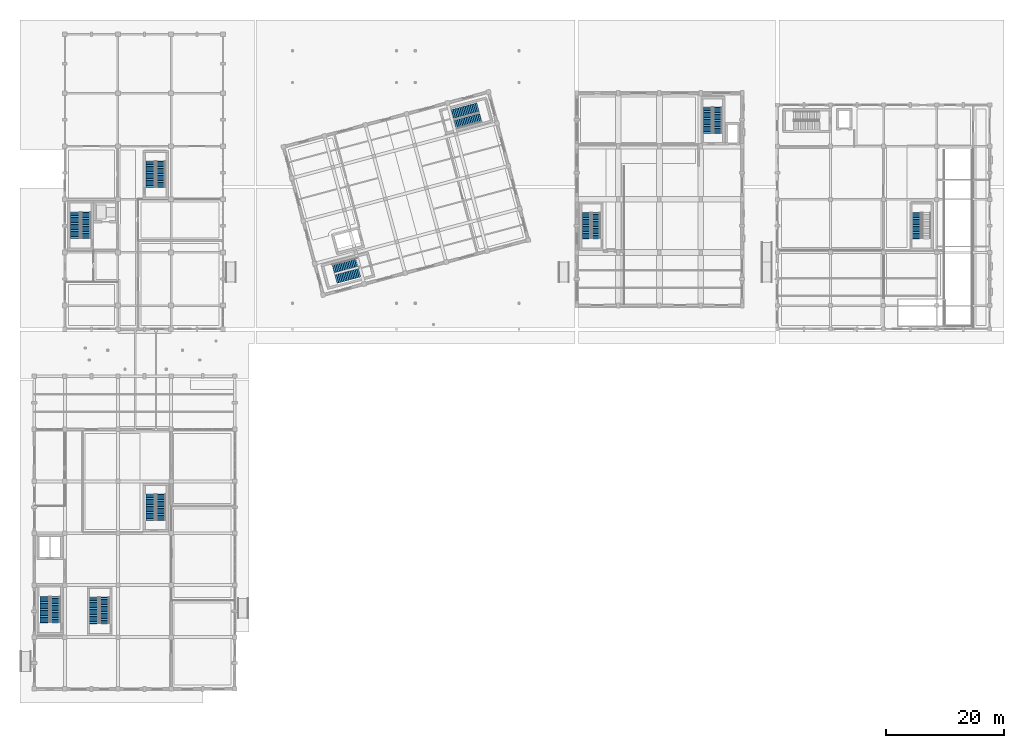
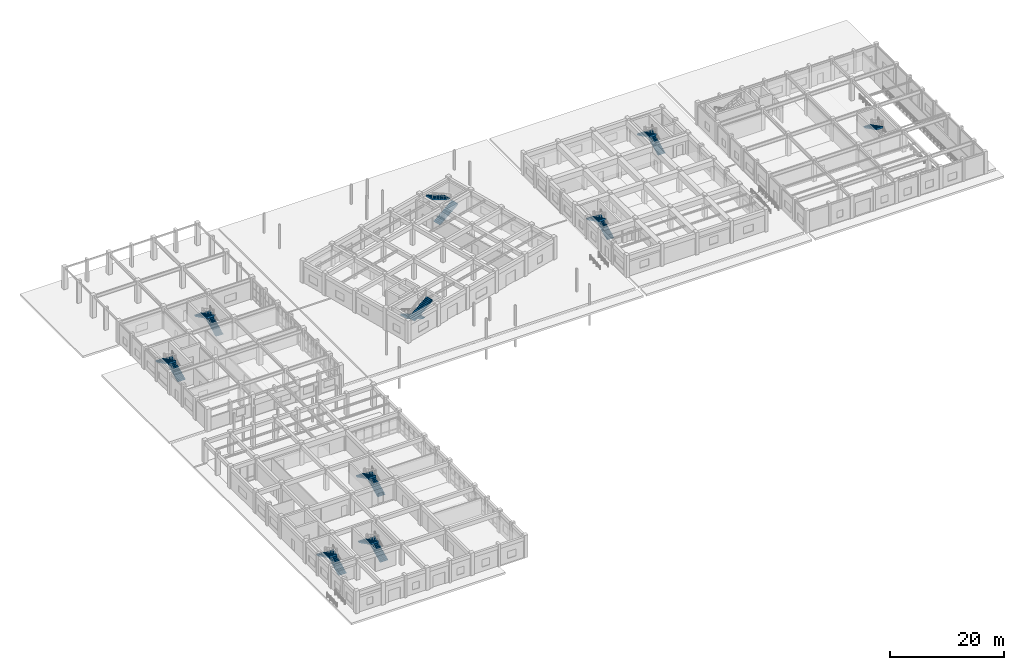
# One storey, part 41 of 47: 19 stair flights, 10 elements without a shape of their own.
"""IFC4 building model written with IfcOpenShell, lengths in metres."""

from ifc_helpers import new_model, si_unit, direction, frame, origin, place, context, subcontext, project, spatial, polyline, outline, extrude, material, type_object, element, aggregate, save


model = new_model("IFC4")

# Units and contexts
model_context = context("Model", 3, precision=1e-05, world=origin(), true_north=direction((0.0, 1.0)))
body_context = subcontext(model_context, "Body", "Model", "MODEL_VIEW")
ifc_project = project(units=[si_unit("LENGTHUNIT", "METRE"), si_unit("AREAUNIT", "SQUARE_METRE"), si_unit("VOLUMEUNIT", "CUBIC_METRE"), si_unit("PLANEANGLEUNIT", "RADIAN"), si_unit("MASSUNIT", "GRAM", prefix="KILO")], contexts=[model_context])

# Site, building, storey
site_placement = place(None, origin())
site = spatial("IfcSite", under=ifc_project, at=site_placement, CompositionType="ELEMENT")
building_placement = place(site_placement, origin())
building = spatial("IfcBuilding", under=site, at=building_placement, Name="Ventoquebrada Cableway Terminal", CompositionType="ELEMENT")
storey_placement = place(building_placement, origin())
storey = spatial("IfcBuildingStorey", under=building, at=storey_placement, Name="L00", CompositionType="ELEMENT", Elevation=0.0)

# Stair, stair flights
ifc_material = material(Name="Concrete C40/50", Category="concrete")
stair_type_1 = type_object("IfcStairType", Name="ST-T03", PredefinedType="HALF_TURN_STAIR", material=ifc_material)
stair_1_placement = place(storey_placement, origin())
stair_1 = element("IfcStair", 1, at=stair_1_placement, inside=storey, type_object=stair_type_1, Name="Protected half-turn stair ST-03", PredefinedType="HALF_TURN_STAIR")
stair_flight_type_1 = type_object("IfcStairFlightType", Name="SF-T03", PredefinedType="STRAIGHT", material=ifc_material)
stair_flight_1_placement = place(storey_placement, frame((6.675048828125, 14.199951171875, 0.0), z_axis=(0.0, 0.0, 1.0), x_axis=(0.0, 1.0, 0.0)))
stair_flight_1 = element("IfcStairFlight", 2, at=stair_flight_1_placement, type_object=stair_flight_type_1, Name="Lower stair flight SF-005", NumberOfRisers=16, NumberOfTreads=15, PredefinedType="STRAIGHT", RiserHeight=0.15, TreadLength=0.3, context=body_context, shape_type="SweptSolid", body=[
    extrude(outline(polyline([(0.0, 0.0), (0.0, 0.14990234375), (0.296630859375, 0.14990234375), (0.296630859375, 0.300048828125), (0.59326171875, 0.300048828125), (0.59326171875, 0.449951171875), (0.889892578125, 0.449951171875), (0.889892578125, 0.60009765625), (1.186767578125, 0.60009765625), (1.186767578125, 0.75), (1.4833984375, 0.75), (1.4833984375, 0.89990234375), (1.780029296875, 0.89990234375), (1.780029296875, 1.050048828125), (2.07666015625, 1.050048828125), (2.07666015625, 1.199951171875), (2.373291015625, 1.199951171875), (2.373291015625, 1.35009765625), (2.669921875, 1.35009765625), (2.669921875, 1.5), (2.966552734375, 1.5), (2.966552734375, 1.64990234375), (3.263427734375, 1.64990234375), (3.263427734375, 1.800048828125), (3.56005859375, 1.800048828125), (3.56005859375, 1.949951171875), (3.856689453125, 1.949951171875), (3.856689453125, 2.10009765625), (4.1533203125, 2.10009765625), (4.1533203125, 2.25), (4.449951171875, 2.25), (4.449951171875, 2.39990234375), (4.5, 2.39990234375), (4.5, 2.0263671875), (0.447021484375, 0.0), (0.0, 0.0)])), frame((0.0, 0.77490234375, 0.0), z_axis=(0.0, -1.0, 0.0), x_axis=(1.0, 0.0, 0.0)), (0.0, 0.0, 1.0), 1.550048828125),
])
stair_flight_2_placement = place(storey_placement, frame((4.764892578125, 18.699951171875, 2.39990234375), z_axis=(0.0, 0.0, 1.0), x_axis=(0.0, -1.0, 0.0)))
stair_flight_2 = element("IfcStairFlight", 3, at=stair_flight_2_placement, type_object=stair_flight_type_1, Name="Upper stair flight SF-006", NumberOfRisers=16, NumberOfTreads=15, PredefinedType="STRAIGHT", RiserHeight=0.15, TreadLength=0.3, context=body_context, shape_type="SweptSolid", body=[
    extrude(outline(polyline([(0.0, 0.0), (0.0, 0.14990234375), (0.296630859375, 0.14990234375), (0.296630859375, 0.300048828125), (0.59326171875, 0.300048828125), (0.59326171875, 0.449951171875), (0.889892578125, 0.449951171875), (0.889892578125, 0.60009765625), (1.186767578125, 0.60009765625), (1.186767578125, 0.75), (1.4833984375, 0.75), (1.4833984375, 0.89990234375), (1.780029296875, 0.89990234375), (1.780029296875, 1.050048828125), (2.07666015625, 1.050048828125), (2.07666015625, 1.199951171875), (2.373291015625, 1.199951171875), (2.373291015625, 1.35009765625), (2.669921875, 1.35009765625), (2.669921875, 1.5), (2.966552734375, 1.5), (2.966552734375, 1.64990234375), (3.263427734375, 1.64990234375), (3.263427734375, 1.800048828125), (3.56005859375, 1.800048828125), (3.56005859375, 1.949951171875), (3.856689453125, 1.949951171875), (3.856689453125, 2.10009765625), (4.1533203125, 2.10009765625), (4.1533203125, 2.25), (4.449951171875, 2.25), (4.449951171875, 2.39990234375), (4.5, 2.39990234375), (4.5, 2.0263671875), (0.447021484375, 0.0), (0.0, 0.0)])), frame((0.0, 0.77490234375, 0.0), z_axis=(0.0, -1.0, 0.0), x_axis=(1.0, 0.0, 0.0)), (0.0, 0.0, 1.0), 1.550048828125),
])
aggregate(stair_1, [stair_flight_1, stair_flight_2])

stair_2_placement = place(storey_placement, origin())
stair_2 = element("IfcStair", 4, at=stair_2_placement, inside=storey, type_object=stair_type_1, Name="Protected half-turn stair ST-09", PredefinedType="HALF_TURN_STAIR")
stair_flight_3_placement = place(storey_placement, frame((14.97509765625, 14.050048828125, 0.0), z_axis=(0.0, 0.0, 1.0), x_axis=(0.0, 1.0, 0.0)))
stair_flight_3 = element("IfcStairFlight", 5, at=stair_flight_3_placement, type_object=stair_flight_type_1, Name="Lower stair flight SF-017", NumberOfRisers=16, NumberOfTreads=15, PredefinedType="STRAIGHT", RiserHeight=0.15, TreadLength=0.3, context=body_context, shape_type="SweptSolid", body=[
    extrude(outline(polyline([(0.0, 0.0), (0.0, 0.14990234375), (0.296630859375, 0.14990234375), (0.296630859375, 0.300048828125), (0.59326171875, 0.300048828125), (0.59326171875, 0.449951171875), (0.889892578125, 0.449951171875), (0.889892578125, 0.60009765625), (1.186767578125, 0.60009765625), (1.186767578125, 0.75), (1.4833984375, 0.75), (1.4833984375, 0.89990234375), (1.780029296875, 0.89990234375), (1.780029296875, 1.050048828125), (2.07666015625, 1.050048828125), (2.07666015625, 1.199951171875), (2.373291015625, 1.199951171875), (2.373291015625, 1.35009765625), (2.669921875, 1.35009765625), (2.669921875, 1.5), (2.966552734375, 1.5), (2.966552734375, 1.64990234375), (3.263427734375, 1.64990234375), (3.263427734375, 1.800048828125), (3.56005859375, 1.800048828125), (3.56005859375, 1.949951171875), (3.856689453125, 1.949951171875), (3.856689453125, 2.10009765625), (4.1533203125, 2.10009765625), (4.1533203125, 2.25), (4.449951171875, 2.25), (4.449951171875, 2.39990234375), (4.5, 2.39990234375), (4.5, 2.0263671875), (0.447021484375, 0.0), (0.0, 0.0)])), frame((0.0, 0.77490234375, 0.0), z_axis=(0.0, -1.0, 0.0), x_axis=(1.0, 0.0, 0.0)), (0.0, 0.0, 1.0), 1.550048828125),
])
stair_flight_4_placement = place(storey_placement, frame((13.06494140625, 18.550048828125, 2.39990234375), z_axis=(0.0, 0.0, 1.0), x_axis=(0.0, -1.0, 0.0)))
stair_flight_4 = element("IfcStairFlight", 6, at=stair_flight_4_placement, type_object=stair_flight_type_1, Name="Upper stair flight SF-018", NumberOfRisers=16, NumberOfTreads=15, PredefinedType="STRAIGHT", RiserHeight=0.15, TreadLength=0.3, context=body_context, shape_type="SweptSolid", body=[
    extrude(outline(polyline([(0.0, 0.0), (0.0, 0.14990234375), (0.296630859375, 0.14990234375), (0.296630859375, 0.300048828125), (0.59326171875, 0.300048828125), (0.59326171875, 0.449951171875), (0.889892578125, 0.449951171875), (0.889892578125, 0.60009765625), (1.186767578125, 0.60009765625), (1.186767578125, 0.75), (1.4833984375, 0.75), (1.4833984375, 0.89990234375), (1.780029296875, 0.89990234375), (1.780029296875, 1.050048828125), (2.07666015625, 1.050048828125), (2.07666015625, 1.199951171875), (2.373291015625, 1.199951171875), (2.373291015625, 1.35009765625), (2.669921875, 1.35009765625), (2.669921875, 1.5), (2.966552734375, 1.5), (2.966552734375, 1.64990234375), (3.263427734375, 1.64990234375), (3.263427734375, 1.800048828125), (3.56005859375, 1.800048828125), (3.56005859375, 1.949951171875), (3.856689453125, 1.949951171875), (3.856689453125, 2.10009765625), (4.1533203125, 2.10009765625), (4.1533203125, 2.25), (4.449951171875, 2.25), (4.449951171875, 2.39990234375), (4.5, 2.39990234375), (4.5, 2.0263671875), (0.447021484375, 0.0), (0.0, 0.0)])), frame((0.0, 0.77490234375, 0.0), z_axis=(0.0, -1.0, 0.0), x_axis=(1.0, 0.0, 0.0)), (0.0, 0.0, 1.0), 1.550048828125),
])
aggregate(stair_2, [stair_flight_3, stair_flight_4])

stair_3_placement = place(storey_placement, origin())
stair_3 = element("IfcStair", 7, at=stair_3_placement, inside=storey, type_object=stair_type_1, Name="Protected half-turn stair ST-11", PredefinedType="HALF_TURN_STAIR")
stair_flight_5_placement = place(storey_placement, frame((11.824951171875, 79.35009765625, 0.0), z_axis=(0.0, 0.0, 1.0), x_axis=(0.0, 1.0, 0.0)))
stair_flight_5 = element("IfcStairFlight", 8, at=stair_flight_5_placement, type_object=stair_flight_type_1, Name="Lower stair flight SF-021", NumberOfRisers=16, NumberOfTreads=15, PredefinedType="STRAIGHT", RiserHeight=0.15, TreadLength=0.3, context=body_context, shape_type="SweptSolid", body=[
    extrude(outline(polyline([(0.0, 0.0), (0.0, 0.14990234375), (0.296630859375, 0.14990234375), (0.296630859375, 0.300048828125), (0.59326171875, 0.300048828125), (0.59326171875, 0.449951171875), (0.889892578125, 0.449951171875), (0.889892578125, 0.60009765625), (1.186767578125, 0.60009765625), (1.186767578125, 0.75), (1.4833984375, 0.75), (1.4833984375, 0.89990234375), (1.780029296875, 0.89990234375), (1.780029296875, 1.050048828125), (2.07666015625, 1.050048828125), (2.07666015625, 1.199951171875), (2.373291015625, 1.199951171875), (2.373291015625, 1.35009765625), (2.669921875, 1.35009765625), (2.669921875, 1.5), (2.966552734375, 1.5), (2.966552734375, 1.64990234375), (3.263427734375, 1.64990234375), (3.263427734375, 1.800048828125), (3.56005859375, 1.800048828125), (3.56005859375, 1.949951171875), (3.856689453125, 1.949951171875), (3.856689453125, 2.10009765625), (4.1533203125, 2.10009765625), (4.1533203125, 2.25), (4.449951171875, 2.25), (4.449951171875, 2.39990234375), (4.5, 2.39990234375), (4.5, 2.0263671875), (0.447021484375, 0.0), (0.0, 0.0)])), frame((0.0, 0.77490234375, 0.0), z_axis=(0.0, -1.0, 0.0), x_axis=(1.0, 0.0, 0.0)), (0.0, 0.0, 1.0), 1.550048828125),
])
stair_flight_6_placement = place(storey_placement, frame((9.9150390625, 83.85009765625, 2.39990234375), z_axis=(0.0, 0.0, 1.0), x_axis=(0.0, -1.0, 0.0)))
stair_flight_6 = element("IfcStairFlight", 9, at=stair_flight_6_placement, type_object=stair_flight_type_1, Name="Upper stair flight SF-022", NumberOfRisers=16, NumberOfTreads=15, PredefinedType="STRAIGHT", RiserHeight=0.15, TreadLength=0.3, context=body_context, shape_type="SweptSolid", body=[
    extrude(outline(polyline([(0.0, 0.0), (0.0, 0.14990234375), (0.296630859375, 0.14990234375), (0.296630859375, 0.300048828125), (0.59326171875, 0.300048828125), (0.59326171875, 0.449951171875), (0.889892578125, 0.449951171875), (0.889892578125, 0.60009765625), (1.186767578125, 0.60009765625), (1.186767578125, 0.75), (1.4833984375, 0.75), (1.4833984375, 0.89990234375), (1.780029296875, 0.89990234375), (1.780029296875, 1.050048828125), (2.07666015625, 1.050048828125), (2.07666015625, 1.199951171875), (2.373291015625, 1.199951171875), (2.373291015625, 1.35009765625), (2.669921875, 1.35009765625), (2.669921875, 1.5), (2.966552734375, 1.5), (2.966552734375, 1.64990234375), (3.263427734375, 1.64990234375), (3.263427734375, 1.800048828125), (3.56005859375, 1.800048828125), (3.56005859375, 1.949951171875), (3.856689453125, 1.949951171875), (3.856689453125, 2.10009765625), (4.1533203125, 2.10009765625), (4.1533203125, 2.25), (4.449951171875, 2.25), (4.449951171875, 2.39990234375), (4.5, 2.39990234375), (4.5, 2.0263671875), (0.447021484375, 0.0), (0.0, 0.0)])), frame((0.0, 0.77490234375, 0.0), z_axis=(0.0, -1.0, 0.0), x_axis=(1.0, 0.0, 0.0)), (0.0, 0.0, 1.0), 1.550048828125),
])
aggregate(stair_3, [stair_flight_5, stair_flight_6])

stair_type_2 = type_object("IfcStairType", Name="ST-T04", PredefinedType="HALF_TURN_STAIR", material=ifc_material)
stair_4_placement = place(storey_placement, origin())
stair_4 = element("IfcStair", 10, at=stair_4_placement, inside=storey, type_object=stair_type_2, Name="Protected half-turn stair ST-04", PredefinedType="HALF_TURN_STAIR")
stair_flight_type_2 = type_object("IfcStairFlightType", Name="SF-T04", PredefinedType="STRAIGHT", material=ifc_material)
stair_flight_7_placement = place(storey_placement, frame((24.550048828125, 31.550048828125, 0.0), z_axis=(0.0, 0.0, 1.0), x_axis=(0.0, 1.0, 0.0)))
stair_flight_7 = element("IfcStairFlight", 11, at=stair_flight_7_placement, type_object=stair_flight_type_2, Name="Lower stair flight SF-007", NumberOfRisers=16, NumberOfTreads=15, PredefinedType="STRAIGHT", RiserHeight=0.15, TreadLength=0.3, context=body_context, shape_type="SweptSolid", body=[
    extrude(outline(polyline([(0.0, 0.0), (0.0, 0.14990234375), (0.296630859375, 0.14990234375), (0.296630859375, 0.300048828125), (0.59326171875, 0.300048828125), (0.59326171875, 0.449951171875), (0.889892578125, 0.449951171875), (0.889892578125, 0.60009765625), (1.186767578125, 0.60009765625), (1.186767578125, 0.75), (1.4833984375, 0.75), (1.4833984375, 0.89990234375), (1.780029296875, 0.89990234375), (1.780029296875, 1.050048828125), (2.07666015625, 1.050048828125), (2.07666015625, 1.199951171875), (2.373291015625, 1.199951171875), (2.373291015625, 1.35009765625), (2.669921875, 1.35009765625), (2.669921875, 1.5), (2.966552734375, 1.5), (2.966552734375, 1.64990234375), (3.263427734375, 1.64990234375), (3.263427734375, 1.800048828125), (3.56005859375, 1.800048828125), (3.56005859375, 1.949951171875), (3.856689453125, 1.949951171875), (3.856689453125, 2.10009765625), (4.1533203125, 2.10009765625), (4.1533203125, 2.25), (4.449951171875, 2.25), (4.449951171875, 2.39990234375), (4.5, 2.39990234375), (4.5, 2.0263671875), (0.447021484375, 0.0), (0.0, 0.0)])), frame((0.0, 0.75, 0.0), z_axis=(0.0, -1.0, 0.0), x_axis=(1.0, 0.0, 0.0)), (0.0, 0.0, 1.0), 1.5),
])
stair_flight_8_placement = place(storey_placement, frame((22.68994140625, 36.050048828125, 2.39990234375), z_axis=(0.0, 0.0, 1.0), x_axis=(0.0, -1.0, 0.0)))
stair_flight_8 = element("IfcStairFlight", 12, at=stair_flight_8_placement, type_object=stair_flight_type_2, Name="Upper stair flight SF-008", NumberOfRisers=16, NumberOfTreads=15, PredefinedType="STRAIGHT", RiserHeight=0.15, TreadLength=0.3, context=body_context, shape_type="SweptSolid", body=[
    extrude(outline(polyline([(0.0, 0.0), (0.0, 0.14990234375), (0.296630859375, 0.14990234375), (0.296630859375, 0.300048828125), (0.59326171875, 0.300048828125), (0.59326171875, 0.449951171875), (0.889892578125, 0.449951171875), (0.889892578125, 0.60009765625), (1.186767578125, 0.60009765625), (1.186767578125, 0.75), (1.4833984375, 0.75), (1.4833984375, 0.89990234375), (1.780029296875, 0.89990234375), (1.780029296875, 1.050048828125), (2.07666015625, 1.050048828125), (2.07666015625, 1.199951171875), (2.373291015625, 1.199951171875), (2.373291015625, 1.35009765625), (2.669921875, 1.35009765625), (2.669921875, 1.5), (2.966552734375, 1.5), (2.966552734375, 1.64990234375), (3.263427734375, 1.64990234375), (3.263427734375, 1.800048828125), (3.56005859375, 1.800048828125), (3.56005859375, 1.949951171875), (3.856689453125, 1.949951171875), (3.856689453125, 2.10009765625), (4.1533203125, 2.10009765625), (4.1533203125, 2.25), (4.449951171875, 2.25), (4.449951171875, 2.39990234375), (4.5, 2.39990234375), (4.5, 2.0263671875), (0.447021484375, 0.0), (0.0, 0.0)])), frame((0.0, 0.75, 0.0), z_axis=(0.0, -1.0, 0.0), x_axis=(1.0, 0.0, 0.0)), (0.0, 0.0, 1.0), 1.5),
])
aggregate(stair_4, [stair_flight_7, stair_flight_8])

stair_5_placement = place(storey_placement, origin())
stair_5 = element("IfcStair", 13, at=stair_5_placement, inside=storey, type_object=stair_type_2, Name="Protected half-turn stair ST-24", PredefinedType="HALF_TURN_STAIR")
stair_flight_9_placement = place(storey_placement, frame((58.02001953125, 75.44091796875, 0.0), z_axis=(0.0, 0.0, 1.0), x_axis=(-0.965925826289, -0.258819045103, 0.0)))
stair_flight_9 = element("IfcStairFlight", 14, at=stair_flight_9_placement, type_object=stair_flight_type_2, Name="Lower stair flight SF-047", NumberOfRisers=16, NumberOfTreads=15, PredefinedType="STRAIGHT", RiserHeight=0.15, TreadLength=0.3, context=body_context, shape_type="SweptSolid", body=[
    extrude(outline(polyline([(0.0, 0.0), (0.0, 0.14990234375), (0.296630859375, 0.14990234375), (0.296630859375, 0.300048828125), (0.59326171875, 0.300048828125), (0.59326171875, 0.449951171875), (0.889892578125, 0.449951171875), (0.889892578125, 0.60009765625), (1.186767578125, 0.60009765625), (1.186767578125, 0.75), (1.4833984375, 0.75), (1.4833984375, 0.89990234375), (1.780029296875, 0.89990234375), (1.780029296875, 1.050048828125), (2.07666015625, 1.050048828125), (2.07666015625, 1.199951171875), (2.373291015625, 1.199951171875), (2.373291015625, 1.35009765625), (2.669921875, 1.35009765625), (2.669921875, 1.5), (2.966552734375, 1.5), (2.966552734375, 1.64990234375), (3.263427734375, 1.64990234375), (3.263427734375, 1.800048828125), (3.56005859375, 1.800048828125), (3.56005859375, 1.949951171875), (3.856689453125, 1.949951171875), (3.856689453125, 2.10009765625), (4.1533203125, 2.10009765625), (4.1533203125, 2.25), (4.449951171875, 2.25), (4.449951171875, 2.39990234375), (4.5, 2.39990234375), (4.5, 2.0263671875), (0.447021484375, 0.0), (0.0, 0.0)])), frame((0.0, 0.75, 0.0), z_axis=(0.0, -1.0, 0.0), x_axis=(1.0, 0.0, 0.0)), (0.0, 0.0, 1.0), 1.5),
])
stair_flight_10_placement = place(storey_placement, frame((54.155029296875, 72.47900390625, 2.39990234375), z_axis=(0.0, 0.0, 1.0), x_axis=(0.965925826289, 0.258819045103, 0.0)))
stair_flight_10 = element("IfcStairFlight", 15, at=stair_flight_10_placement, type_object=stair_flight_type_2, Name="Upper stair flight SF-048", NumberOfRisers=16, NumberOfTreads=15, PredefinedType="STRAIGHT", RiserHeight=0.15, TreadLength=0.3, context=body_context, shape_type="SweptSolid", body=[
    extrude(outline(polyline([(0.0, 0.0), (0.0, 0.14990234375), (0.296630859375, 0.14990234375), (0.296630859375, 0.300048828125), (0.59326171875, 0.300048828125), (0.59326171875, 0.449951171875), (0.889892578125, 0.449951171875), (0.889892578125, 0.60009765625), (1.186767578125, 0.60009765625), (1.186767578125, 0.75), (1.4833984375, 0.75), (1.4833984375, 0.89990234375), (1.780029296875, 0.89990234375), (1.780029296875, 1.050048828125), (2.07666015625, 1.050048828125), (2.07666015625, 1.199951171875), (2.373291015625, 1.199951171875), (2.373291015625, 1.35009765625), (2.669921875, 1.35009765625), (2.669921875, 1.5), (2.966552734375, 1.5), (2.966552734375, 1.64990234375), (3.263427734375, 1.64990234375), (3.263427734375, 1.800048828125), (3.56005859375, 1.800048828125), (3.56005859375, 1.949951171875), (3.856689453125, 1.949951171875), (3.856689453125, 2.10009765625), (4.1533203125, 2.10009765625), (4.1533203125, 2.25), (4.449951171875, 2.25), (4.449951171875, 2.39990234375), (4.5, 2.39990234375), (4.5, 2.0263671875), (0.447021484375, 0.0), (0.0, 0.0)])), frame((0.0, 0.75, 0.0), z_axis=(0.0, -1.0, 0.0), x_axis=(1.0, 0.0, 0.0)), (0.0, 0.0, 1.0), 1.5),
])
aggregate(stair_5, [stair_flight_9, stair_flight_10])

stair_6_placement = place(storey_placement, origin())
stair_6 = element("IfcStair", 16, at=stair_6_placement, inside=storey, type_object=stair_type_2, Name="Protected half-turn stair ST-32", PredefinedType="HALF_TURN_STAIR")
stair_flight_11_placement = place(storey_placement, frame((74.366943359375, 98.662109375, 0.0), z_axis=(0.0, 0.0, 1.0), x_axis=(0.965925826289, 0.258819045103, 0.0)))
stair_flight_11 = element("IfcStairFlight", 17, at=stair_flight_11_placement, type_object=stair_flight_type_2, Name="Lower stair flight SF-063", NumberOfRisers=16, NumberOfTreads=15, PredefinedType="STRAIGHT", RiserHeight=0.15, TreadLength=0.3, context=body_context, shape_type="SweptSolid", body=[
    extrude(outline(polyline([(0.0, 0.0), (0.0, 0.14990234375), (0.296630859375, 0.14990234375), (0.296630859375, 0.300048828125), (0.59326171875, 0.300048828125), (0.59326171875, 0.449951171875), (0.889892578125, 0.449951171875), (0.889892578125, 0.60009765625), (1.186767578125, 0.60009765625), (1.186767578125, 0.75), (1.4833984375, 0.75), (1.4833984375, 0.89990234375), (1.780029296875, 0.89990234375), (1.780029296875, 1.050048828125), (2.07666015625, 1.050048828125), (2.07666015625, 1.199951171875), (2.373291015625, 1.199951171875), (2.373291015625, 1.35009765625), (2.669921875, 1.35009765625), (2.669921875, 1.5), (2.966552734375, 1.5), (2.966552734375, 1.64990234375), (3.263427734375, 1.64990234375), (3.263427734375, 1.800048828125), (3.56005859375, 1.800048828125), (3.56005859375, 1.949951171875), (3.856689453125, 1.949951171875), (3.856689453125, 2.10009765625), (4.1533203125, 2.10009765625), (4.1533203125, 2.25), (4.449951171875, 2.25), (4.449951171875, 2.39990234375), (4.5, 2.39990234375), (4.5, 2.0263671875), (0.447021484375, 0.0), (0.0, 0.0)])), frame((0.0, 0.75, 0.0), z_axis=(0.0, -1.0, 0.0), x_axis=(1.0, 0.0, 0.0)), (0.0, 0.0, 1.0), 1.5),
])
stair_flight_12_placement = place(storey_placement, frame((78.23193359375, 101.6240234375, 2.39990234375), z_axis=(0.0, 0.0, 1.0), x_axis=(-0.965925826289, -0.258819045103, 0.0)))
stair_flight_12 = element("IfcStairFlight", 18, at=stair_flight_12_placement, type_object=stair_flight_type_2, Name="Upper stair flight SF-064", NumberOfRisers=16, NumberOfTreads=15, PredefinedType="STRAIGHT", RiserHeight=0.15, TreadLength=0.3, context=body_context, shape_type="SweptSolid", body=[
    extrude(outline(polyline([(0.0, 0.0), (0.0, 0.14990234375), (0.296630859375, 0.14990234375), (0.296630859375, 0.300048828125), (0.59326171875, 0.300048828125), (0.59326171875, 0.449951171875), (0.889892578125, 0.449951171875), (0.889892578125, 0.60009765625), (1.186767578125, 0.60009765625), (1.186767578125, 0.75), (1.4833984375, 0.75), (1.4833984375, 0.89990234375), (1.780029296875, 0.89990234375), (1.780029296875, 1.050048828125), (2.07666015625, 1.050048828125), (2.07666015625, 1.199951171875), (2.373291015625, 1.199951171875), (2.373291015625, 1.35009765625), (2.669921875, 1.35009765625), (2.669921875, 1.5), (2.966552734375, 1.5), (2.966552734375, 1.64990234375), (3.263427734375, 1.64990234375), (3.263427734375, 1.800048828125), (3.56005859375, 1.800048828125), (3.56005859375, 1.949951171875), (3.856689453125, 1.949951171875), (3.856689453125, 2.10009765625), (4.1533203125, 2.10009765625), (4.1533203125, 2.25), (4.449951171875, 2.25), (4.449951171875, 2.39990234375), (4.5, 2.39990234375), (4.5, 2.0263671875), (0.447021484375, 0.0), (0.0, 0.0)])), frame((0.0, 0.75, 0.0), z_axis=(0.0, -1.0, 0.0), x_axis=(1.0, 0.0, 0.0)), (0.0, 0.0, 1.0), 1.5),
])
aggregate(stair_6, [stair_flight_11, stair_flight_12])

stair_type_3 = type_object("IfcStairType", Name="ST-T05", PredefinedType="HALF_TURN_STAIR", material=ifc_material)
stair_7_placement = place(storey_placement, origin())
stair_7 = element("IfcStair", 19, at=stair_7_placement, inside=storey, type_object=stair_type_3, Name="Protected half-turn stair ST-12", PredefinedType="HALF_TURN_STAIR")
stair_flight_type_3 = type_object("IfcStairFlightType", Name="SF-T05", PredefinedType="STRAIGHT", material=ifc_material)
stair_flight_13_placement = place(storey_placement, frame((24.47509765625, 88.0, 0.0), z_axis=(0.0, 0.0, 1.0), x_axis=(0.0, 1.0, 0.0)))
stair_flight_13 = element("IfcStairFlight", 20, at=stair_flight_13_placement, type_object=stair_flight_type_3, Name="Lower stair flight SF-023", NumberOfRisers=16, NumberOfTreads=15, PredefinedType="STRAIGHT", RiserHeight=0.15, TreadLength=0.3, context=body_context, shape_type="SweptSolid", body=[
    extrude(outline(polyline([(0.0, 0.0), (0.0, 0.14990234375), (0.296630859375, 0.14990234375), (0.296630859375, 0.300048828125), (0.59326171875, 0.300048828125), (0.59326171875, 0.449951171875), (0.889892578125, 0.449951171875), (0.889892578125, 0.60009765625), (1.186767578125, 0.60009765625), (1.186767578125, 0.75), (1.4833984375, 0.75), (1.4833984375, 0.89990234375), (1.780029296875, 0.89990234375), (1.780029296875, 1.050048828125), (2.07666015625, 1.050048828125), (2.07666015625, 1.199951171875), (2.373291015625, 1.199951171875), (2.373291015625, 1.35009765625), (2.669921875, 1.35009765625), (2.669921875, 1.5), (2.966552734375, 1.5), (2.966552734375, 1.64990234375), (3.263427734375, 1.64990234375), (3.263427734375, 1.800048828125), (3.56005859375, 1.800048828125), (3.56005859375, 1.949951171875), (3.856689453125, 1.949951171875), (3.856689453125, 2.10009765625), (4.1533203125, 2.10009765625), (4.1533203125, 2.25), (4.449951171875, 2.25), (4.449951171875, 2.39990234375), (4.5, 2.39990234375), (4.5, 2.0263671875), (0.447021484375, 0.0), (0.0, 0.0)])), frame((0.0, 0.72509765625, 0.0), z_axis=(0.0, -1.0, 0.0), x_axis=(1.0, 0.0, 0.0)), (0.0, 0.0, 1.0), 1.449951171875),
])
stair_flight_14_placement = place(storey_placement, frame((22.6650390625, 92.5, 2.39990234375), z_axis=(0.0, 0.0, 1.0), x_axis=(0.0, -1.0, 0.0)))
stair_flight_14 = element("IfcStairFlight", 21, at=stair_flight_14_placement, type_object=stair_flight_type_3, Name="Upper stair flight SF-024", NumberOfRisers=16, NumberOfTreads=15, PredefinedType="STRAIGHT", RiserHeight=0.15, TreadLength=0.3, context=body_context, shape_type="SweptSolid", body=[
    extrude(outline(polyline([(0.0, 0.0), (0.0, 0.14990234375), (0.296630859375, 0.14990234375), (0.296630859375, 0.300048828125), (0.59326171875, 0.300048828125), (0.59326171875, 0.449951171875), (0.889892578125, 0.449951171875), (0.889892578125, 0.60009765625), (1.186767578125, 0.60009765625), (1.186767578125, 0.75), (1.4833984375, 0.75), (1.4833984375, 0.89990234375), (1.780029296875, 0.89990234375), (1.780029296875, 1.050048828125), (2.07666015625, 1.050048828125), (2.07666015625, 1.199951171875), (2.373291015625, 1.199951171875), (2.373291015625, 1.35009765625), (2.669921875, 1.35009765625), (2.669921875, 1.5), (2.966552734375, 1.5), (2.966552734375, 1.64990234375), (3.263427734375, 1.64990234375), (3.263427734375, 1.800048828125), (3.56005859375, 1.800048828125), (3.56005859375, 1.949951171875), (3.856689453125, 1.949951171875), (3.856689453125, 2.10009765625), (4.1533203125, 2.10009765625), (4.1533203125, 2.25), (4.449951171875, 2.25), (4.449951171875, 2.39990234375), (4.5, 2.39990234375), (4.5, 2.0263671875), (0.447021484375, 0.0), (0.0, 0.0)])), frame((0.0, 0.72509765625, 0.0), z_axis=(0.0, -1.0, 0.0), x_axis=(1.0, 0.0, 0.0)), (0.0, 0.0, 1.0), 1.449951171875),
])
aggregate(stair_7, [stair_flight_13, stair_flight_14])

stair_type_4 = type_object("IfcStairType", Name="ST-T09", PredefinedType="HALF_TURN_STAIR", material=ifc_material)
stair_8_placement = place(storey_placement, origin())
stair_8 = element("IfcStair", 22, at=stair_8_placement, inside=storey, type_object=stair_type_4, Name="Protected half-turn stair ST-25", PredefinedType="HALF_TURN_STAIR")
stair_flight_type_4 = type_object("IfcStairFlightType", Name="SF-T09", PredefinedType="STRAIGHT", material=ifc_material)
stair_flight_15_placement = place(storey_placement, frame((118.949951171875, 97.14990234375, 0.0), z_axis=(0.0, 0.0, 1.0), x_axis=(0.0, 1.0, 0.0)))
stair_flight_15 = element("IfcStairFlight", 23, at=stair_flight_15_placement, type_object=stair_flight_type_4, Name="Lower stair flight SF-049", NumberOfRisers=16, NumberOfTreads=15, PredefinedType="STRAIGHT", RiserHeight=0.15, TreadLength=0.3, context=body_context, shape_type="SweptSolid", body=[
    extrude(outline(polyline([(0.0, 0.0), (0.0, 0.14990234375), (0.296630859375, 0.14990234375), (0.296630859375, 0.300048828125), (0.59326171875, 0.300048828125), (0.59326171875, 0.449951171875), (0.889892578125, 0.449951171875), (0.889892578125, 0.60009765625), (1.186767578125, 0.60009765625), (1.186767578125, 0.75), (1.4833984375, 0.75), (1.4833984375, 0.89990234375), (1.780029296875, 0.89990234375), (1.780029296875, 1.050048828125), (2.07666015625, 1.050048828125), (2.07666015625, 1.199951171875), (2.373291015625, 1.199951171875), (2.373291015625, 1.35009765625), (2.669921875, 1.35009765625), (2.669921875, 1.5), (2.966552734375, 1.5), (2.966552734375, 1.64990234375), (3.263427734375, 1.64990234375), (3.263427734375, 1.800048828125), (3.56005859375, 1.800048828125), (3.56005859375, 1.949951171875), (3.856689453125, 1.949951171875), (3.856689453125, 2.10009765625), (4.1533203125, 2.10009765625), (4.1533203125, 2.25), (4.449951171875, 2.25), (4.449951171875, 2.39990234375), (4.5, 2.39990234375), (4.5, 2.0263671875), (0.447021484375, 0.0), (0.0, 0.0)])), frame((0.0, 0.699951171875, 0.0), z_axis=(0.0, -1.0, 0.0), x_axis=(1.0, 0.0, 0.0)), (0.0, 0.0, 1.0), 1.39990234375),
])
stair_flight_16_placement = place(storey_placement, frame((117.18994140625, 101.64990234375, 2.39990234375), z_axis=(0.0, 0.0, 1.0), x_axis=(0.0, -1.0, 0.0)))
stair_flight_16 = element("IfcStairFlight", 24, at=stair_flight_16_placement, type_object=stair_flight_type_4, Name="Upper stair flight SF-050", NumberOfRisers=16, NumberOfTreads=15, PredefinedType="STRAIGHT", RiserHeight=0.15, TreadLength=0.3, context=body_context, shape_type="SweptSolid", body=[
    extrude(outline(polyline([(0.0, 0.0), (0.0, 0.14990234375), (0.296630859375, 0.14990234375), (0.296630859375, 0.300048828125), (0.59326171875, 0.300048828125), (0.59326171875, 0.449951171875), (0.889892578125, 0.449951171875), (0.889892578125, 0.60009765625), (1.186767578125, 0.60009765625), (1.186767578125, 0.75), (1.4833984375, 0.75), (1.4833984375, 0.89990234375), (1.780029296875, 0.89990234375), (1.780029296875, 1.050048828125), (2.07666015625, 1.050048828125), (2.07666015625, 1.199951171875), (2.373291015625, 1.199951171875), (2.373291015625, 1.35009765625), (2.669921875, 1.35009765625), (2.669921875, 1.5), (2.966552734375, 1.5), (2.966552734375, 1.64990234375), (3.263427734375, 1.64990234375), (3.263427734375, 1.800048828125), (3.56005859375, 1.800048828125), (3.56005859375, 1.949951171875), (3.856689453125, 1.949951171875), (3.856689453125, 2.10009765625), (4.1533203125, 2.10009765625), (4.1533203125, 2.25), (4.449951171875, 2.25), (4.449951171875, 2.39990234375), (4.5, 2.39990234375), (4.5, 2.0263671875), (0.447021484375, 0.0), (0.0, 0.0)])), frame((0.0, 0.699951171875, 0.0), z_axis=(0.0, -1.0, 0.0), x_axis=(1.0, 0.0, 0.0)), (0.0, 0.0, 1.0), 1.39990234375),
])
aggregate(stair_8, [stair_flight_15, stair_flight_16])

# Stair, stair flight
stair_type_5 = type_object("IfcStairType", Name="ST-T10", PredefinedType="HALF_TURN_STAIR", material=ifc_material)
stair_9_placement = place(storey_placement, origin())
stair_9 = element("IfcStair", 25, at=stair_9_placement, inside=storey, type_object=stair_type_5, Name="Protected half-turn stair ST-27", PredefinedType="HALF_TURN_STAIR")
stair_flight_type_5 = type_object("IfcStairFlightType", Name="SF-T10", PredefinedType="STRAIGHT", material=ifc_material)
stair_flight_17_placement = place(storey_placement, frame((152.614990234375, 83.800048828125, 2.39990234375), z_axis=(0.0, 0.0, 1.0), x_axis=(0.0, -1.0, 0.0)))
stair_flight_17 = element("IfcStairFlight", 26, at=stair_flight_17_placement, type_object=stair_flight_type_5, Name="Upper stair flight SF-054", NumberOfRisers=16, NumberOfTreads=15, PredefinedType="STRAIGHT", RiserHeight=0.15, TreadLength=0.3, context=body_context, shape_type="SweptSolid", body=[
    extrude(outline(polyline([(0.0, 0.0), (0.0, 0.14990234375), (0.296630859375, 0.14990234375), (0.296630859375, 0.300048828125), (0.59326171875, 0.300048828125), (0.59326171875, 0.449951171875), (0.889892578125, 0.449951171875), (0.889892578125, 0.60009765625), (1.186767578125, 0.60009765625), (1.186767578125, 0.75), (1.4833984375, 0.75), (1.4833984375, 0.89990234375), (1.780029296875, 0.89990234375), (1.780029296875, 1.050048828125), (2.07666015625, 1.050048828125), (2.07666015625, 1.199951171875), (2.373291015625, 1.199951171875), (2.373291015625, 1.35009765625), (2.669921875, 1.35009765625), (2.669921875, 1.5), (2.966552734375, 1.5), (2.966552734375, 1.64990234375), (3.263427734375, 1.64990234375), (3.263427734375, 1.800048828125), (3.56005859375, 1.800048828125), (3.56005859375, 1.949951171875), (3.856689453125, 1.949951171875), (3.856689453125, 2.10009765625), (4.1533203125, 2.10009765625), (4.1533203125, 2.25), (4.449951171875, 2.25), (4.449951171875, 2.39990234375), (4.5, 2.39990234375), (4.5, 2.0263671875), (0.447021484375, 0.0), (0.0, 0.0)])), frame((0.0, 0.675048828125, 0.0), z_axis=(0.0, -1.0, 0.0), x_axis=(1.0, 0.0, 0.0)), (0.0, 0.0, 1.0), 1.35009765625),
])
aggregate(stair_9, [stair_flight_17])

# Stair, stair flights
stair_10_placement = place(storey_placement, origin())
stair_10 = element("IfcStair", 27, at=stair_10_placement, inside=storey, type_object=stair_type_5, Name="Protected half-turn stair ST-33", PredefinedType="HALF_TURN_STAIR")
stair_flight_18_placement = place(storey_placement, frame((98.324951171875, 79.300048828125, 0.0), z_axis=(0.0, 0.0, 1.0), x_axis=(0.0, 1.0, 0.0)))
stair_flight_18 = element("IfcStairFlight", 28, at=stair_flight_18_placement, type_object=stair_flight_type_5, Name="Lower stair flight SF-065", NumberOfRisers=16, NumberOfTreads=15, PredefinedType="STRAIGHT", RiserHeight=0.15, TreadLength=0.3, context=body_context, shape_type="SweptSolid", body=[
    extrude(outline(polyline([(0.0, 0.0), (0.0, 0.14990234375), (0.296630859375, 0.14990234375), (0.296630859375, 0.300048828125), (0.59326171875, 0.300048828125), (0.59326171875, 0.449951171875), (0.889892578125, 0.449951171875), (0.889892578125, 0.60009765625), (1.186767578125, 0.60009765625), (1.186767578125, 0.75), (1.4833984375, 0.75), (1.4833984375, 0.89990234375), (1.780029296875, 0.89990234375), (1.780029296875, 1.050048828125), (2.07666015625, 1.050048828125), (2.07666015625, 1.199951171875), (2.373291015625, 1.199951171875), (2.373291015625, 1.35009765625), (2.669921875, 1.35009765625), (2.669921875, 1.5), (2.966552734375, 1.5), (2.966552734375, 1.64990234375), (3.263427734375, 1.64990234375), (3.263427734375, 1.800048828125), (3.56005859375, 1.800048828125), (3.56005859375, 1.949951171875), (3.856689453125, 1.949951171875), (3.856689453125, 2.10009765625), (4.1533203125, 2.10009765625), (4.1533203125, 2.25), (4.449951171875, 2.25), (4.449951171875, 2.39990234375), (4.5, 2.39990234375), (4.5, 2.0263671875), (0.447021484375, 0.0), (0.0, 0.0)])), frame((0.0, 0.675048828125, 0.0), z_axis=(0.0, -1.0, 0.0), x_axis=(1.0, 0.0, 0.0)), (0.0, 0.0, 1.0), 1.35009765625),
])
stair_flight_19_placement = place(storey_placement, frame((96.614990234375, 83.800048828125, 2.39990234375), z_axis=(0.0, 0.0, 1.0), x_axis=(0.0, -1.0, 0.0)))
stair_flight_19 = element("IfcStairFlight", 29, at=stair_flight_19_placement, type_object=stair_flight_type_5, Name="Upper stair flight SF-066", NumberOfRisers=16, NumberOfTreads=15, PredefinedType="STRAIGHT", RiserHeight=0.15, TreadLength=0.3, context=body_context, shape_type="SweptSolid", body=[
    extrude(outline(polyline([(0.0, 0.0), (0.0, 0.14990234375), (0.296630859375, 0.14990234375), (0.296630859375, 0.300048828125), (0.59326171875, 0.300048828125), (0.59326171875, 0.449951171875), (0.889892578125, 0.449951171875), (0.889892578125, 0.60009765625), (1.186767578125, 0.60009765625), (1.186767578125, 0.75), (1.4833984375, 0.75), (1.4833984375, 0.89990234375), (1.780029296875, 0.89990234375), (1.780029296875, 1.050048828125), (2.07666015625, 1.050048828125), (2.07666015625, 1.199951171875), (2.373291015625, 1.199951171875), (2.373291015625, 1.35009765625), (2.669921875, 1.35009765625), (2.669921875, 1.5), (2.966552734375, 1.5), (2.966552734375, 1.64990234375), (3.263427734375, 1.64990234375), (3.263427734375, 1.800048828125), (3.56005859375, 1.800048828125), (3.56005859375, 1.949951171875), (3.856689453125, 1.949951171875), (3.856689453125, 2.10009765625), (4.1533203125, 2.10009765625), (4.1533203125, 2.25), (4.449951171875, 2.25), (4.449951171875, 2.39990234375), (4.5, 2.39990234375), (4.5, 2.0263671875), (0.447021484375, 0.0), (0.0, 0.0)])), frame((0.0, 0.675048828125, 0.0), z_axis=(0.0, -1.0, 0.0), x_axis=(1.0, 0.0, 0.0)), (0.0, 0.0, 1.0), 1.35009765625),
])
aggregate(stair_10, [stair_flight_18, stair_flight_19])

save(model, "model.ifc")
